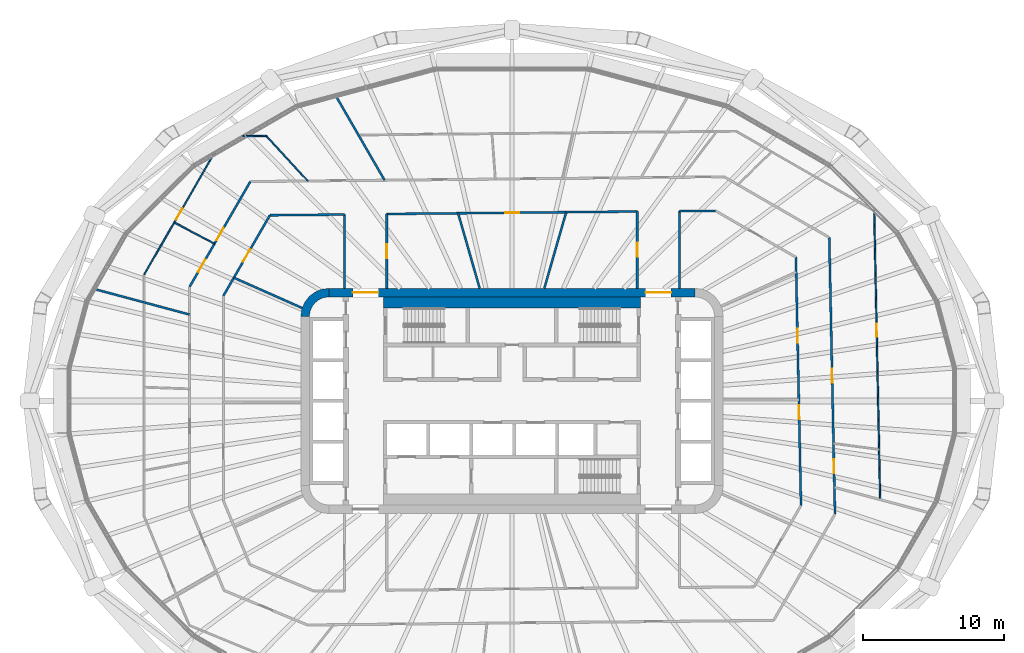
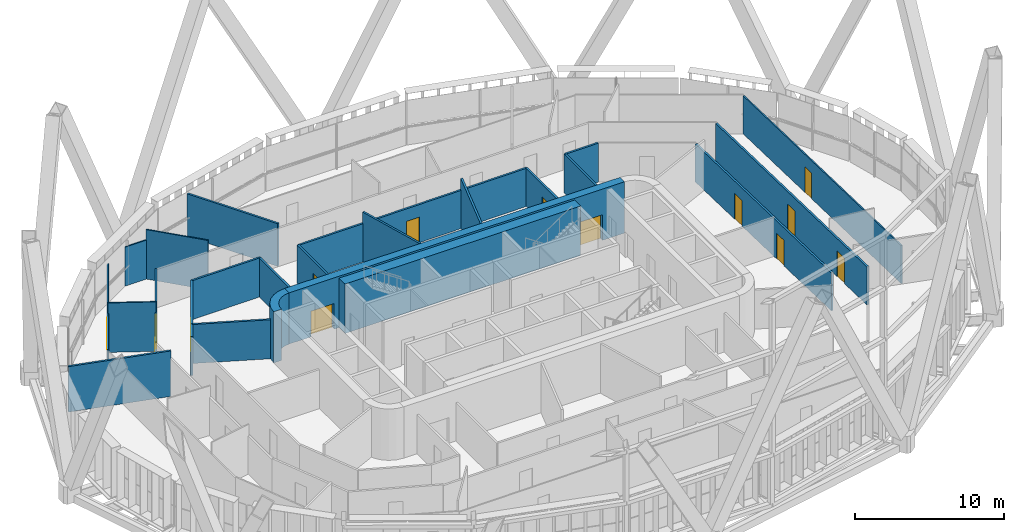
# One storey, part 16 of 25: 24 walls, 14 doors, 14 openings.
"""IFC4 building model written with IfcOpenShell, lengths in metres."""

from ifc_helpers import new_model, si_unit, direction, frame, frame_2d, origin, place, context, subcontext, project, spatial, polyline, rectangle, outline, extrude, material, layer, layer_set, type_object, element, fill, save


model = new_model("IFC4")

# Units and contexts
model_context = context("Model", 3, precision=1e-05, world=origin(), true_north=direction((0.0, 1.0)))
body_context = subcontext(model_context, "Body", "Model", "MODEL_VIEW")
ifc_project = project(units=[si_unit("LENGTHUNIT", "METRE"), si_unit("AREAUNIT", "SQUARE_METRE"), si_unit("VOLUMEUNIT", "CUBIC_METRE"), si_unit("PLANEANGLEUNIT", "RADIAN"), si_unit("MASSUNIT", "GRAM", prefix="KILO")], contexts=[model_context])

# Site, building, storey
site_placement = place(None, origin())
site = spatial("IfcSite", under=ifc_project, at=site_placement, CompositionType="ELEMENT")
building_placement = place(site_placement, origin())
building = spatial("IfcBuilding", under=site, at=building_placement, Name="Sahrelin Media Tower", CompositionType="ELEMENT")
storey_placement = place(building_placement, frame((0.0, 0.0, 79.800048828125)))
storey = spatial("IfcBuildingStorey", under=building, at=storey_placement, Name="L14", CompositionType="ELEMENT", Elevation=79.800048828125)

# Wall, openings, doors
ifc_material_1 = material(Name="Concrete C60/75", Category="concrete")
ifc_layer_1 = layer(ifc_material_1, 0.60009765625)
ifc_layer_set_1 = layer_set([ifc_layer_1], Name="Core wall 600")
wall_type_1 = type_object("IfcWallType", Name="Core wall 600", PredefinedType="SHEAR", material=ifc_layer_set_1)
wall_1_placement = place(storey_placement, frame((-13.0, 7.699951171875, 0.0), z_axis=(0.0, 0.0, 1.0), x_axis=(1.0, 0.0, 0.0)))
wall_1 = element("IfcWall", 1, at=wall_1_placement, inside=storey, type_object=wall_type_1, Name="Core wall N L14", PredefinedType="SHEAR", context=body_context, shape_type="SweptSolid", body=[
    extrude(rectangle(XDim=26.0, YDim=0.60009765625, at=frame_2d((13.0, 0.0))), origin(), (0.0, 0.0, 1.0), 4.199951171875),
])
opening_1_placement = place(wall_1_placement, frame((1.699951171875, 0.0, 0.0)))
opening_1 = element("IfcOpeningElement", 2, at=opening_1_placement, cuts=wall_1, Name="Opening L14-D16", PredefinedType="OPENING", context=body_context, shape_type="SweptSolid", body=[
    extrude(rectangle(XDim=1.800048828125, YDim=2.10009765625, at=frame_2d((0.89990234375, 1.050048828125))), frame((0.0, 0.300048828125, 0.0), z_axis=(0.0, -1.0, 0.0), x_axis=(1.0, 0.0, 0.0)), (0.0, 0.0, 1.0), 0.60009765625),
])
opening_2_placement = place(wall_1_placement, frame((22.5, 0.0, 0.0)))
opening_2 = element("IfcOpeningElement", 3, at=opening_2_placement, cuts=wall_1, Name="Opening L14-D17", PredefinedType="OPENING", context=body_context, shape_type="SweptSolid", body=[
    extrude(rectangle(XDim=1.800048828125, YDim=2.10009765625, at=frame_2d((0.89990234375, 1.050048828125))), frame((0.0, 0.300048828125, 0.0), z_axis=(0.0, -1.0, 0.0), x_axis=(1.0, 0.0, 0.0)), (0.0, 0.0, 1.0), 0.60009765625),
])
ifc_material_2 = material(Name="Steel fire door leaf", Category="steel")
door_type_1 = type_object("IfcDoorType", Name="Lobby double door 1800 x 2100 EI 60", OperationType="DOUBLE_DOOR_SINGLE_SWING", PredefinedType="DOOR", material=ifc_material_2)
door_1_placement = place(opening_1_placement, origin())
door_1 = element("IfcDoor", 4, at=door_1_placement, inside=storey, type_object=door_type_1, Name="Lobby door", OperationType="DOUBLE_DOOR_SINGLE_SWING", OverallHeight=2.10009765625, OverallWidth=1.800048828125, PredefinedType="DOOR", context=body_context, shape_type="SweptSolid", body=[
    extrude(rectangle(XDim=1.800048828125, YDim=2.10009765625, at=frame_2d((0.89990234375, 1.050048828125))), frame((0.0, 0.02490234375, 0.0), z_axis=(0.0, -1.0, 0.0), x_axis=(1.0, 0.0, 0.0)), (0.0, 0.0, 1.0), 0.050048828125),
])
fill(opening_1, door_1)
door_2_placement = place(opening_2_placement, origin())
door_2 = element("IfcDoor", 5, at=door_2_placement, inside=storey, type_object=door_type_1, Name="Lobby door", OperationType="DOUBLE_DOOR_SINGLE_SWING", OverallHeight=2.10009765625, OverallWidth=1.800048828125, PredefinedType="DOOR", context=body_context, shape_type="SweptSolid", body=[
    extrude(rectangle(XDim=1.800048828125, YDim=2.10009765625, at=frame_2d((0.89990234375, 1.050048828125))), frame((0.0, 0.02490234375, 0.0), z_axis=(0.0, -1.0, 0.0), x_axis=(1.0, 0.0, 0.0)), (0.0, 0.0, 1.0), 0.050048828125),
])
fill(opening_2, door_2)

# Wall
wall_2_placement = place(storey_placement, origin())
element("IfcWall", 6, at=wall_2_placement, inside=storey, type_object=wall_type_1, Name="Core wall corner NW L14", PredefinedType="SHEAR", context=body_context, shape_type="SweptSolid", body=[
    extrude(outline(polyline([(-15.0, 6.0), (-14.394775390625, 6.0), (-14.347412109375, 6.361083984375), (-14.2080078125, 6.697509765625), (-13.986328125, 6.986328125), (-13.697509765625, 7.2080078125), (-13.361083984375, 7.347412109375), (-13.0, 7.394775390625), (-13.0, 8.0), (-13.517578125, 7.931884765625), (-14.0, 7.732177734375), (-14.414306640625, 7.414306640625), (-14.732177734375, 7.0), (-14.931884765625, 6.517578125), (-15.0, 6.0)])), origin(), (0.0, 0.0, 1.0), 4.199951171875),
])

# Wall, openings, doors
ifc_material_3 = material(Name="Fire-rated gypsum board partition")
ifc_layer_2 = layer(ifc_material_3, 0.14990234375)
ifc_layer_set_2 = layer_set([ifc_layer_2], Name="Fire-rated partition 150")
wall_type_2 = type_object("IfcWallType", Name="Fire-rated partition 150", PredefinedType="PARTITIONING", material=ifc_layer_set_2)
wall_3_placement = place(storey_placement, frame((20.1669921875, 10.212890625, 0.0), z_axis=(0.0, 0.0, 1.0), x_axis=(0.020597058382, -0.999787858091, 0.0)))
wall_3 = element("IfcWall", 7, at=wall_3_placement, inside=storey, type_object=wall_type_2, Name="Wall", PredefinedType="PARTITIONING", context=body_context, shape_type="SweptSolid", body=[
    extrude(rectangle(XDim=17.637451171875, YDim=0.14990234375, at=frame_2d((8.81884765625, 0.0))), origin(), (0.0, 0.0, 1.0), 3.1181640625),
])
opening_3_placement = place(wall_3_placement, frame((10.508056640625, 0.0, 0.0)))
opening_3 = element("IfcOpeningElement", 8, at=opening_3_placement, cuts=wall_3, Name="Opening L14-D24", PredefinedType="OPENING", context=body_context, shape_type="SweptSolid", body=[
    extrude(rectangle(XDim=1.0, YDim=2.10009765625, at=frame_2d((0.5, 1.050048828125))), frame((0.0, 0.074951171875, 0.0), z_axis=(0.0, -1.0, 0.0), x_axis=(1.0, 0.0, 0.0)), (0.0, 0.0, 1.0), 0.14990234375),
])
opening_4_placement = place(wall_3_placement, frame((5.08984375, 0.0, 0.0)))
opening_4 = element("IfcOpeningElement", 9, at=opening_4_placement, cuts=wall_3, Name="Opening L14-D25", PredefinedType="OPENING", context=body_context, shape_type="SweptSolid", body=[
    extrude(rectangle(XDim=1.0, YDim=2.10009765625, at=frame_2d((0.5, 1.050048828125))), frame((0.0, 0.074951171875, 0.0), z_axis=(0.0, -1.0, 0.0), x_axis=(1.0, 0.0, 0.0)), (0.0, 0.0, 1.0), 0.14990234375),
])
door_type_2 = type_object("IfcDoorType", Name="Fire door 1000 x 2100 EI 60", OperationType="NOTDEFINED", PredefinedType="DOOR", material=ifc_material_2)
door_3_placement = place(opening_3_placement, origin())
door_3 = element("IfcDoor", 10, at=door_3_placement, inside=storey, type_object=door_type_2, Name="Fire door", OperationType="SINGLE_SWING_RIGHT", OverallHeight=2.10009765625, OverallWidth=1.0, PredefinedType="DOOR", context=body_context, shape_type="SweptSolid", body=[
    extrude(rectangle(XDim=1.0, YDim=2.10009765625, at=frame_2d((0.5, 1.050048828125))), frame((0.0, 0.02490234375, 0.0), z_axis=(0.0, -1.0, 0.0), x_axis=(1.0, 0.0, 0.0)), (0.0, 0.0, 1.0), 0.050048828125),
])
fill(opening_3, door_3)
door_4_placement = place(opening_4_placement, origin())
door_4 = element("IfcDoor", 11, at=door_4_placement, inside=storey, type_object=door_type_2, Name="Fire door", OperationType="SINGLE_SWING_LEFT", OverallHeight=2.10009765625, OverallWidth=1.0, PredefinedType="DOOR", context=body_context, shape_type="SweptSolid", body=[
    extrude(rectangle(XDim=1.0, YDim=2.10009765625, at=frame_2d((0.5, 1.050048828125))), frame((0.0, 0.02490234375, 0.0), z_axis=(0.0, -1.0, 0.0), x_axis=(1.0, 0.0, 0.0)), (0.0, 0.0, 1.0), 0.050048828125),
])
fill(opening_4, door_4)

wall_4_placement = place(storey_placement, frame((22.539306640625, 11.614990234375, 0.0), z_axis=(0.0, 0.0, 1.0), x_axis=(0.020589093921, -0.999788022138, 0.0)))
wall_4 = element("IfcWall", 12, at=wall_4_placement, inside=storey, type_object=wall_type_2, Name="Wall", PredefinedType="PARTITIONING", context=body_context, shape_type="SweptSolid", body=[
    extrude(rectangle(XDim=19.66015625, YDim=0.14990234375, at=frame_2d((9.830078125, 0.0))), origin(), (0.0, 0.0, 1.0), 3.1181640625),
])
opening_5_placement = place(wall_4_placement, frame((15.7451171875, 0.0, 0.0)))
opening_5 = element("IfcOpeningElement", 13, at=opening_5_placement, cuts=wall_4, Name="Opening L14-D40", PredefinedType="OPENING", context=body_context, shape_type="SweptSolid", body=[
    extrude(rectangle(XDim=1.0, YDim=2.10009765625, at=frame_2d((0.5, 1.050048828125))), frame((0.0, 0.074951171875, 0.0), z_axis=(0.0, -1.0, 0.0), x_axis=(1.0, 0.0, 0.0)), (0.0, 0.0, 1.0), 0.14990234375),
])
opening_6_placement = place(wall_4_placement, frame((9.330810546875, 0.0, 0.0)))
opening_6 = element("IfcOpeningElement", 14, at=opening_6_placement, cuts=wall_4, Name="Opening L14-D41", PredefinedType="OPENING", context=body_context, shape_type="SweptSolid", body=[
    extrude(rectangle(XDim=1.0, YDim=2.10009765625, at=frame_2d((0.5, 1.050048828125))), frame((0.0, 0.074951171875, 0.0), z_axis=(0.0, -1.0, 0.0), x_axis=(1.0, 0.0, 0.0)), (0.0, 0.0, 1.0), 0.14990234375),
])
door_5_placement = place(opening_5_placement, origin())
door_5 = element("IfcDoor", 15, at=door_5_placement, inside=storey, type_object=door_type_2, Name="Fire door", OperationType="SINGLE_SWING_LEFT", OverallHeight=2.10009765625, OverallWidth=1.0, PredefinedType="DOOR", context=body_context, shape_type="SweptSolid", body=[
    extrude(rectangle(XDim=1.0, YDim=2.10009765625, at=frame_2d((0.5, 1.050048828125))), frame((0.0, 0.02490234375, 0.0), z_axis=(0.0, -1.0, 0.0), x_axis=(1.0, 0.0, 0.0)), (0.0, 0.0, 1.0), 0.050048828125),
])
fill(opening_5, door_5)
door_6_placement = place(opening_6_placement, origin())
door_6 = element("IfcDoor", 16, at=door_6_placement, inside=storey, type_object=door_type_2, Name="Fire door", OperationType="SINGLE_SWING_LEFT", OverallHeight=2.10009765625, OverallWidth=1.0, PredefinedType="DOOR", context=body_context, shape_type="SweptSolid", body=[
    extrude(rectangle(XDim=1.0, YDim=2.10009765625, at=frame_2d((0.5, 1.050048828125))), frame((0.0, 0.02490234375, 0.0), z_axis=(0.0, -1.0, 0.0), x_axis=(1.0, 0.0, 0.0)), (0.0, 0.0, 1.0), 0.050048828125),
])
fill(opening_6, door_6)

# Walls
wall_5_placement = place(storey_placement, frame((-3.826904296875, 13.3330078125, 0.0), z_axis=(0.0, 0.0, 1.0), x_axis=(0.275935525478, -0.961176147113, 0.0)))
element("IfcWall", 17, at=wall_5_placement, inside=storey, type_object=wall_type_2, Name="Wall", PredefinedType="PARTITIONING", context=body_context, shape_type="SweptSolid", body=[
    extrude(rectangle(XDim=5.54833984375, YDim=0.14990234375, at=frame_2d((2.774169921875, 0.0))), origin(), (0.0, 0.0, 1.0), 4.050048828125),
])
wall_6_placement = place(storey_placement, frame((-12.56494140625, 21.762939453125, 0.0), z_axis=(0.0, 0.0, 1.0), x_axis=(0.500009374365, -0.866019991425, 0.0)))
element("IfcWall", 18, at=wall_6_placement, inside=storey, type_object=wall_type_2, Name="Wall", PredefinedType="PARTITIONING", context=body_context, shape_type="SweptSolid", body=[
    extrude(rectangle(XDim=7.021728515625, YDim=0.14990234375, at=frame_2d((3.5107421875, 0.0))), origin(), (0.0, 0.0, 1.0), 3.501708984375),
])
wall_7_placement = place(storey_placement, frame((-19.760009765625, 8.7548828125, 0.0), z_axis=(0.0, 0.0, 1.0), x_axis=(0.91424834547, -0.405154245695, 0.0)))
element("IfcWall", 19, at=wall_7_placement, inside=storey, type_object=wall_type_2, Name="Wall", PredefinedType="PARTITIONING", context=body_context, shape_type="SweptSolid", body=[
    extrude(rectangle(XDim=5.31787109375, YDim=0.14990234375, at=frame_2d((2.658935546875, 0.0))), origin(), (0.0, 0.0, 1.0), 3.195068359375),
])
wall_8_placement = place(storey_placement, frame((-29.777099609375, 7.97900390625, 0.0), z_axis=(0.0, 0.0, 1.0), x_axis=(0.965924632989, -0.25882349852, 0.0)))
element("IfcWall", 20, at=wall_8_placement, inside=storey, type_object=wall_type_2, Name="Wall", PredefinedType="PARTITIONING", context=body_context, shape_type="SweptSolid", body=[
    extrude(rectangle(XDim=7.119873046875, YDim=0.14990234375, at=frame_2d((3.56005859375, 0.0))), origin(), (0.0, 0.0, 1.0), 3.7265625),
])
wall_9_placement = place(storey_placement, frame((-17.194091796875, 13.19091796875, 0.0), z_axis=(0.0, 0.0, 1.0), x_axis=(0.999950853109, 0.009914200296, 0.0)))
element("IfcWall", 21, at=wall_9_placement, inside=storey, type_object=wall_type_2, Name="Wall", PredefinedType="PARTITIONING", context=body_context, shape_type="SweptSolid", body=[
    extrude(rectangle(XDim=5.29443359375, YDim=0.14990234375, at=frame_2d((2.647216796875, 0.0))), origin(), (0.0, 0.0, 1.0), 3.195068359375),
])

# Wall, opening, door
wall_10_placement = place(storey_placement, frame((-8.89990234375, 13.282470703125, 0.0), z_axis=(0.0, 0.0, 1.0), x_axis=(0.999950969978, 0.009902405776, 0.0)))
wall_10 = element("IfcWall", 22, at=wall_10_placement, inside=storey, type_object=wall_type_2, Name="Wall", PredefinedType="PARTITIONING", context=body_context, shape_type="SweptSolid", body=[
    extrude(rectangle(XDim=17.80078125, YDim=0.14990234375, at=frame_2d((8.900390625, 0.0))), origin(), (0.0, 0.0, 1.0), 3.126953125),
])
opening_7_placement = place(wall_10_placement, frame((8.412353515625, 0.0, 0.0)))
opening_7 = element("IfcOpeningElement", 23, at=opening_7_placement, cuts=wall_10, Name="Opening L14-D28", PredefinedType="OPENING", context=body_context, shape_type="SweptSolid", body=[
    extrude(rectangle(XDim=1.0, YDim=2.10009765625, at=frame_2d((0.5, 1.050048828125))), frame((0.0, 0.074951171875, 0.0), z_axis=(0.0, -1.0, 0.0), x_axis=(1.0, 0.0, 0.0)), (0.0, 0.0, 1.0), 0.14990234375),
])
door_7_placement = place(opening_7_placement, origin())
door_7 = element("IfcDoor", 24, at=door_7_placement, inside=storey, type_object=door_type_2, Name="Fire door", OperationType="SINGLE_SWING_LEFT", OverallHeight=2.10009765625, OverallWidth=1.0, PredefinedType="DOOR", context=body_context, shape_type="SweptSolid", body=[
    extrude(rectangle(XDim=1.0, YDim=2.10009765625, at=frame_2d((0.5, 1.050048828125))), frame((0.0, 0.02490234375, 0.0), z_axis=(0.0, -1.0, 0.0), x_axis=(1.0, 0.0, 0.0)), (0.0, 0.0, 1.0), 0.050048828125),
])
fill(opening_7, door_7)

# Wall
wall_11_placement = place(storey_placement, frame((11.89990234375, 13.47998046875, 0.0), z_axis=(0.0, 0.0, 1.0), x_axis=(0.999951307579, 0.009868255694, 0.0)))
element("IfcWall", 25, at=wall_11_placement, inside=storey, type_object=wall_type_2, Name="Wall", PredefinedType="PARTITIONING", context=body_context, shape_type="SweptSolid", body=[
    extrude(rectangle(XDim=2.54833984375, YDim=0.14990234375, at=frame_2d((1.274169921875, 0.0))), origin(), (0.0, 0.0, 1.0), 3.195068359375),
])

# Wall, opening, door
wall_12_placement = place(storey_placement, frame((-20.5, 7.47412109375, 0.0), z_axis=(0.0, 0.0, 1.0), x_axis=(0.500012665616, 0.866018091164, 0.0)))
wall_12 = element("IfcWall", 26, at=wall_12_placement, inside=storey, type_object=wall_type_2, Name="Wall", PredefinedType="PARTITIONING", context=body_context, shape_type="SweptSolid", body=[
    extrude(rectangle(XDim=6.602294921875, YDim=0.14990234375, at=frame_2d((3.30126953125, 0.0))), origin(), (0.0, 0.0, 1.0), 3.195068359375),
])
opening_8_placement = place(wall_12_placement, frame((2.802734375, 0.0, 0.0)))
opening_8 = element("IfcOpeningElement", 27, at=opening_8_placement, cuts=wall_12, Name="Opening L14-D30", PredefinedType="OPENING", context=body_context, shape_type="SweptSolid", body=[
    extrude(rectangle(XDim=1.0, YDim=2.10009765625, at=frame_2d((0.5, 1.050048828125))), frame((0.0, 0.074951171875, 0.0), z_axis=(0.0, -1.0, 0.0), x_axis=(1.0, 0.0, 0.0)), (0.0, 0.0, 1.0), 0.14990234375),
])
door_8_placement = place(opening_8_placement, origin())
door_8 = element("IfcDoor", 28, at=door_8_placement, inside=storey, type_object=door_type_2, Name="Fire door", OperationType="SINGLE_SWING_LEFT", OverallHeight=2.10009765625, OverallWidth=1.0, PredefinedType="DOOR", context=body_context, shape_type="SweptSolid", body=[
    extrude(rectangle(XDim=1.0, YDim=2.10009765625, at=frame_2d((0.5, 1.050048828125))), frame((0.0, 0.02490234375, 0.0), z_axis=(0.0, -1.0, 0.0), x_axis=(1.0, 0.0, 0.0)), (0.0, 0.0, 1.0), 0.050048828125),
])
fill(opening_8, door_8)

# Wall, openings, doors
wall_13_placement = place(storey_placement, frame((-22.89990234375, 8.116943359375, 0.0), z_axis=(0.0, 0.0, 1.0), x_axis=(0.499983791763, 0.866034761412, 0.0)))
wall_13 = element("IfcWall", 29, at=wall_13_placement, inside=storey, type_object=wall_type_2, Name="Wall", PredefinedType="PARTITIONING", context=body_context, shape_type="SweptSolid", body=[
    extrude(rectangle(XDim=8.625732421875, YDim=0.14990234375, at=frame_2d((4.31298828125, 0.0))), origin(), (0.0, 0.0, 1.0), 3.195068359375),
])
opening_9_placement = place(wall_13_placement, frame((3.8115234375, 0.0, 0.0)))
opening_9 = element("IfcOpeningElement", 30, at=opening_9_placement, cuts=wall_13, Name="Opening L14-D50", PredefinedType="OPENING", context=body_context, shape_type="SweptSolid", body=[
    extrude(rectangle(XDim=1.0, YDim=2.10009765625, at=frame_2d((0.5, 1.050048828125))), frame((0.0, 0.074951171875, 0.0), z_axis=(0.0, -1.0, 0.0), x_axis=(1.0, 0.0, 0.0)), (0.0, 0.0, 1.0), 0.14990234375),
])
opening_10_placement = place(wall_13_placement, frame((1.21337890625, 0.0, 0.0)))
opening_10 = element("IfcOpeningElement", 31, at=opening_10_placement, cuts=wall_13, Name="Opening L14-D51", PredefinedType="OPENING", context=body_context, shape_type="SweptSolid", body=[
    extrude(rectangle(XDim=1.0, YDim=2.10009765625, at=frame_2d((0.5, 1.050048828125))), frame((0.0, 0.074951171875, 0.0), z_axis=(0.0, -1.0, 0.0), x_axis=(1.0, 0.0, 0.0)), (0.0, 0.0, 1.0), 0.14990234375),
])
door_9_placement = place(opening_9_placement, origin())
door_9 = element("IfcDoor", 32, at=door_9_placement, inside=storey, type_object=door_type_2, Name="Fire door", OperationType="SINGLE_SWING_RIGHT", OverallHeight=2.10009765625, OverallWidth=1.0, PredefinedType="DOOR", context=body_context, shape_type="SweptSolid", body=[
    extrude(rectangle(XDim=1.0, YDim=2.10009765625, at=frame_2d((0.5, 1.050048828125))), frame((0.0, 0.02490234375, 0.0), z_axis=(0.0, -1.0, 0.0), x_axis=(1.0, 0.0, 0.0)), (0.0, 0.0, 1.0), 0.050048828125),
])
fill(opening_9, door_9)
door_10_placement = place(opening_10_placement, origin())
door_10 = element("IfcDoor", 33, at=door_10_placement, inside=storey, type_object=door_type_2, Name="Fire door", OperationType="SINGLE_SWING_LEFT", OverallHeight=2.10009765625, OverallWidth=1.0, PredefinedType="DOOR", context=body_context, shape_type="SweptSolid", body=[
    extrude(rectangle(XDim=1.0, YDim=2.10009765625, at=frame_2d((0.5, 1.050048828125))), frame((0.0, 0.02490234375, 0.0), z_axis=(0.0, -1.0, 0.0), x_axis=(1.0, 0.0, 0.0)), (0.0, 0.0, 1.0), 0.050048828125),
])
fill(opening_10, door_10)

# Walls
wall_14_placement = place(storey_placement, frame((2.2958984375, 8.0, 0.0), z_axis=(0.0, 0.0, 1.0), x_axis=(0.275958345059, 0.961169595749, 0.0)))
element("IfcWall", 34, at=wall_14_placement, inside=storey, type_object=wall_type_2, Name="Wall", PredefinedType="PARTITIONING", context=body_context, shape_type="SweptSolid", body=[
    extrude(rectangle(XDim=5.62841796875, YDim=0.14990234375, at=frame_2d((2.814208984375, 0.0))), origin(), (0.0, 0.0, 1.0), 4.050048828125),
])
wall_15_placement = place(storey_placement, frame((11.89990234375, 8.0, 0.0), z_axis=(0.0, 0.0, 1.0), x_axis=(0.0, 1.0, 0.0)))
element("IfcWall", 35, at=wall_15_placement, inside=storey, type_object=wall_type_2, Name="Wall", PredefinedType="PARTITIONING", context=body_context, shape_type="SweptSolid", body=[
    extrude(rectangle(XDim=5.47900390625, YDim=0.14990234375, at=frame_2d((2.739501953125, 0.0))), origin(), (0.0, 0.0, 1.0), 3.195068359375),
])

# Wall, opening, door
wall_16_placement = place(storey_placement, frame((8.89990234375, 8.0, 0.0), z_axis=(0.0, 0.0, 1.0), x_axis=(0.0, 1.0, 0.0)))
wall_16 = element("IfcWall", 36, at=wall_16_placement, inside=storey, type_object=wall_type_2, Name="Wall", PredefinedType="PARTITIONING", context=body_context, shape_type="SweptSolid", body=[
    extrude(rectangle(XDim=5.4599609375, YDim=0.14990234375, at=frame_2d((2.72998046875, 0.0))), origin(), (0.0, 0.0, 1.0), 3.126953125),
])
opening_11_placement = place(wall_16_placement, frame((2.22998046875, 0.0, 0.0)))
opening_11 = element("IfcOpeningElement", 37, at=opening_11_placement, cuts=wall_16, Name="Opening L14-D27", PredefinedType="OPENING", context=body_context, shape_type="SweptSolid", body=[
    extrude(rectangle(XDim=1.0, YDim=2.10009765625, at=frame_2d((0.5, 1.050048828125))), frame((0.0, 0.074951171875, 0.0), z_axis=(0.0, -1.0, 0.0), x_axis=(1.0, 0.0, 0.0)), (0.0, 0.0, 1.0), 0.14990234375),
])
door_11_placement = place(opening_11_placement, origin())
door_11 = element("IfcDoor", 38, at=door_11_placement, inside=storey, type_object=door_type_2, Name="Fire door", OperationType="SINGLE_SWING_RIGHT", OverallHeight=2.10009765625, OverallWidth=1.0, PredefinedType="DOOR", context=body_context, shape_type="SweptSolid", body=[
    extrude(rectangle(XDim=1.0, YDim=2.10009765625, at=frame_2d((0.5, 1.050048828125))), frame((0.0, 0.02490234375, 0.0), z_axis=(0.0, -1.0, 0.0), x_axis=(1.0, 0.0, 0.0)), (0.0, 0.0, 1.0), 0.050048828125),
])
fill(opening_11, door_11)

wall_17_placement = place(storey_placement, frame((-8.89990234375, 8.0, 0.0), z_axis=(0.0, 0.0, 1.0), x_axis=(0.0, 1.0, 0.0)))
wall_17 = element("IfcWall", 39, at=wall_17_placement, inside=storey, type_object=wall_type_2, Name="Wall", PredefinedType="PARTITIONING", context=body_context, shape_type="SweptSolid", body=[
    extrude(rectangle(XDim=5.282958984375, YDim=0.14990234375, at=frame_2d((2.6416015625, 0.0))), origin(), (0.0, 0.0, 1.0), 3.126953125),
])
opening_12_placement = place(wall_17_placement, frame((2.1416015625, 0.0, 0.0)))
opening_12 = element("IfcOpeningElement", 40, at=opening_12_placement, cuts=wall_17, Name="Opening L14-D29", PredefinedType="OPENING", context=body_context, shape_type="SweptSolid", body=[
    extrude(rectangle(XDim=1.0, YDim=2.10009765625, at=frame_2d((0.5, 1.050048828125))), frame((0.0, 0.074951171875, 0.0), z_axis=(0.0, -1.0, 0.0), x_axis=(1.0, 0.0, 0.0)), (0.0, 0.0, 1.0), 0.14990234375),
])
door_12_placement = place(opening_12_placement, origin())
door_12 = element("IfcDoor", 41, at=door_12_placement, inside=storey, type_object=door_type_2, Name="Fire door", OperationType="SINGLE_SWING_LEFT", OverallHeight=2.10009765625, OverallWidth=1.0, PredefinedType="DOOR", context=body_context, shape_type="SweptSolid", body=[
    extrude(rectangle(XDim=1.0, YDim=2.10009765625, at=frame_2d((0.5, 1.050048828125))), frame((0.0, 0.02490234375, 0.0), z_axis=(0.0, -1.0, 0.0), x_axis=(1.0, 0.0, 0.0)), (0.0, 0.0, 1.0), 0.050048828125),
])
fill(opening_12, door_12)

# Wall
wall_18_placement = place(storey_placement, frame((-11.89990234375, 8.0, 0.0), z_axis=(0.0, 0.0, 1.0), x_axis=(0.0, 1.0, 0.0)))
element("IfcWall", 42, at=wall_18_placement, inside=storey, type_object=wall_type_2, Name="Wall", PredefinedType="PARTITIONING", context=body_context, shape_type="SweptSolid", body=[
    extrude(rectangle(XDim=5.242919921875, YDim=0.14990234375, at=frame_2d((2.62158203125, 0.0))), origin(), (0.0, 0.0, 1.0), 3.195068359375),
])

# Wall, opening, door
ifc_material_4 = material(Name="Gypsum board partition")
ifc_layer_3 = layer(ifc_material_4, 0.10009765625)
ifc_layer_set_3 = layer_set([ifc_layer_3], Name="Partition 100")
wall_type_3 = type_object("IfcWallType", Name="Partition 100", PredefinedType="PARTITIONING", material=ifc_layer_set_3)
wall_19_placement = place(storey_placement, frame((25.73095703125, 13.501953125, 0.0), z_axis=(0.0, 0.0, 1.0), x_axis=(0.020564874759, -0.999788520601, 0.0)))
wall_19 = element("IfcWall", 43, at=wall_19_placement, inside=storey, type_object=wall_type_3, Name="Wall", PredefinedType="PARTITIONING", context=body_context, shape_type="SweptSolid", body=[
    extrude(rectangle(XDim=20.514404296875, YDim=0.10009765625, at=frame_2d((10.25732421875, 0.0))), origin(), (0.0, 0.0, 1.0), 3.1181640625),
])
opening_13_placement = place(wall_19_placement, frame((8.02734375, 0.0, 0.0)))
opening_13 = element("IfcOpeningElement", 44, at=opening_13_placement, cuts=wall_19, Name="Opening L14-D44", PredefinedType="OPENING", context=body_context, shape_type="SweptSolid", body=[
    extrude(rectangle(XDim=0.89990234375, YDim=2.10009765625, at=frame_2d((0.449951171875, 1.050048828125))), frame((0.0, 0.050048828125, 0.0), z_axis=(0.0, -1.0, 0.0), x_axis=(1.0, 0.0, 0.0)), (0.0, 0.0, 1.0), 0.10009765625),
])
ifc_material_5 = material(Name="Timber door leaf", Category="wood")
door_type_3 = type_object("IfcDoorType", Name="Single door 900 x 2100", OperationType="NOTDEFINED", PredefinedType="DOOR", material=ifc_material_5)
door_13_placement = place(opening_13_placement, origin())
door_13 = element("IfcDoor", 45, at=door_13_placement, inside=storey, type_object=door_type_3, Name="Single door", OperationType="SINGLE_SWING_LEFT", OverallHeight=2.10009765625, OverallWidth=0.89990234375, PredefinedType="DOOR", context=body_context, shape_type="SweptSolid", body=[
    extrude(rectangle(XDim=0.89990234375, YDim=2.10009765625, at=frame_2d((0.449951171875, 1.050048828125))), frame((0.0, 0.02490234375, 0.0), z_axis=(0.0, -1.0, 0.0), x_axis=(1.0, 0.0, 0.0)), (0.0, 0.0, 1.0), 0.050048828125),
])
fill(opening_13, door_13)

# Walls
wall_20_placement = place(storey_placement, frame((-17.469970703125, 18.8291015625, 0.0), z_axis=(0.0, 0.0, 1.0), x_axis=(0.680137944576, -0.73308415366, 0.0)))
element("IfcWall", 46, at=wall_20_placement, inside=storey, type_object=wall_type_3, Name="Wall", PredefinedType="PARTITIONING", context=body_context, shape_type="SweptSolid", body=[
    extrude(rectangle(XDim=4.36669921875, YDim=0.10009765625, at=frame_2d((2.183349609375, 0.0))), origin(), (0.0, 0.0, 1.0), 4.050048828125),
])
wall_21_placement = place(storey_placement, frame((-23.993896484375, 12.680908203125, 0.0), z_axis=(0.0, 0.0, 1.0), x_axis=(0.884105641911, -0.467287078723, 0.0)))
element("IfcWall", 47, at=wall_21_placement, inside=storey, type_object=wall_type_3, Name="Wall", PredefinedType="PARTITIONING", context=body_context, shape_type="SweptSolid", body=[
    extrude(rectangle(XDim=3.2314453125, YDim=0.10009765625, at=frame_2d((1.61572265625, 0.0))), origin(), (0.0, 0.0, 1.0), 4.050048828125),
])
wall_22_placement = place(storey_placement, frame((-19.14306640625, 18.81201171875, 0.0), z_axis=(0.0, 0.0, 1.0), x_axis=(0.999950774028, 0.009922173155, 0.0)))
element("IfcWall", 48, at=wall_22_placement, inside=storey, type_object=wall_type_3, Name="Wall", PredefinedType="PARTITIONING", context=body_context, shape_type="SweptSolid", body=[
    extrude(rectangle(XDim=1.673095703125, YDim=0.10009765625, at=frame_2d((0.83642578125, 0.0))), origin(), (0.0, 0.0, 1.0), 3.195068359375),
])

# Wall, opening, door
wall_23_placement = place(storey_placement, frame((-26.1298828125, 8.98291015625, 0.0), z_axis=(0.0, 0.0, 1.0), x_axis=(0.500107000949, 0.865963617944, 0.0)))
wall_23 = element("IfcWall", 49, at=wall_23_placement, inside=storey, type_object=wall_type_3, Name="Wall", PredefinedType="PARTITIONING", context=body_context, shape_type="SweptSolid", body=[
    extrude(rectangle(XDim=10.038330078125, YDim=0.10009765625, at=frame_2d((5.01904296875, 0.0))), origin(), (0.0, 0.0, 1.0), 3.195068359375),
])
opening_14_placement = place(wall_23_placement, frame((4.520751953125, 0.0, 0.0)))
opening_14 = element("IfcOpeningElement", 50, at=opening_14_placement, cuts=wall_23, Name="Opening L14-D52", PredefinedType="OPENING", context=body_context, shape_type="SweptSolid", body=[
    extrude(rectangle(XDim=0.89990234375, YDim=2.10009765625, at=frame_2d((0.449951171875, 1.050048828125))), frame((0.0, 0.050048828125, 0.0), z_axis=(0.0, -1.0, 0.0), x_axis=(1.0, 0.0, 0.0)), (0.0, 0.0, 1.0), 0.10009765625),
])
door_14_placement = place(opening_14_placement, origin())
door_14 = element("IfcDoor", 51, at=door_14_placement, inside=storey, type_object=door_type_3, Name="Single door", OperationType="SINGLE_SWING_LEFT", OverallHeight=2.10009765625, OverallWidth=0.89990234375, PredefinedType="DOOR", context=body_context, shape_type="SweptSolid", body=[
    extrude(rectangle(XDim=0.89990234375, YDim=2.10009765625, at=frame_2d((0.449951171875, 1.050048828125))), frame((0.0, 0.02490234375, 0.0), z_axis=(0.0, -1.0, 0.0), x_axis=(1.0, 0.0, 0.0)), (0.0, 0.0, 1.0), 0.050048828125),
])
fill(opening_14, door_14)

# Wall
ifc_layer_4 = layer(ifc_material_1, 0.800048828125)
ifc_layer_set_4 = layer_set([ifc_layer_4], Name="Stair enclosure wall 800")
wall_type_4 = type_object("IfcWallType", Name="Stair enclosure wall 800", PredefinedType="SOLIDWALL", material=ifc_layer_set_4)
wall_24_placement = place(storey_placement, frame((-9.125, 7.0, 0.0), z_axis=(0.0, 0.0, 1.0), x_axis=(1.0, 0.0, 0.0)))
element("IfcWall", 52, at=wall_24_placement, inside=storey, type_object=wall_type_4, Name="Stair enclosure wall", PredefinedType="SOLIDWALL", context=body_context, shape_type="SweptSolid", body=[
    extrude(rectangle(XDim=18.25, YDim=0.800048828125, at=frame_2d((9.125, 0.0))), origin(), (0.0, 0.0, 1.0), 4.050048828125),
])

save(model, "model.ifc")
